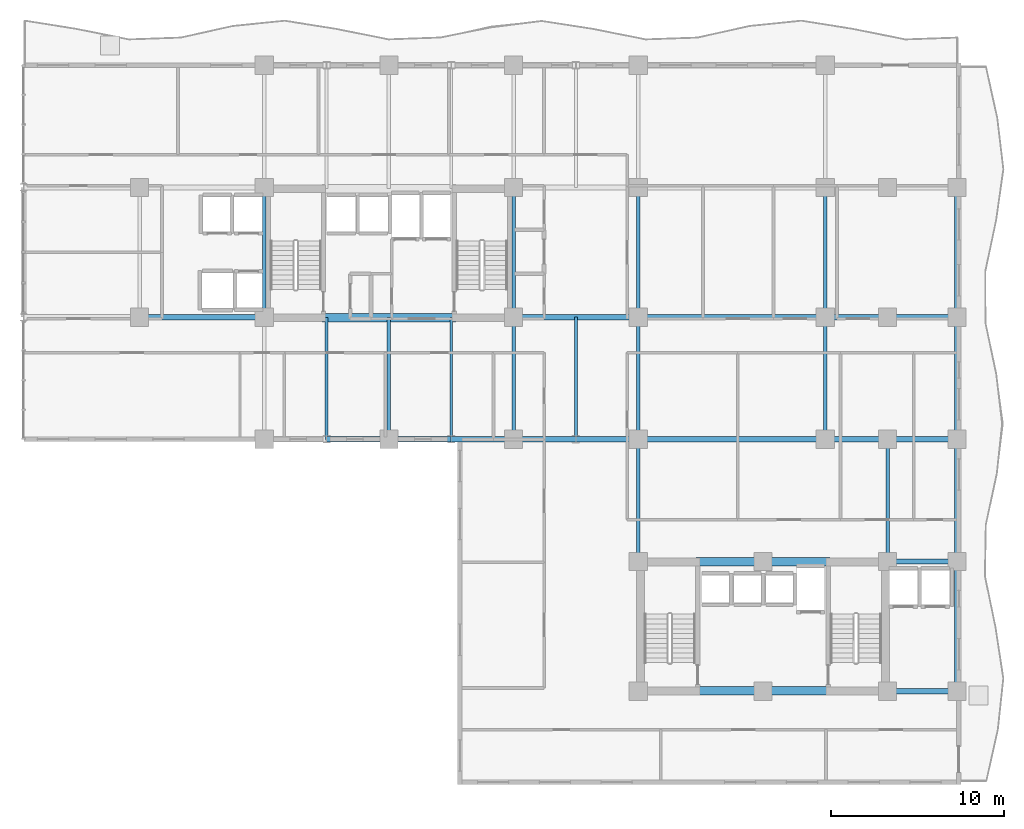
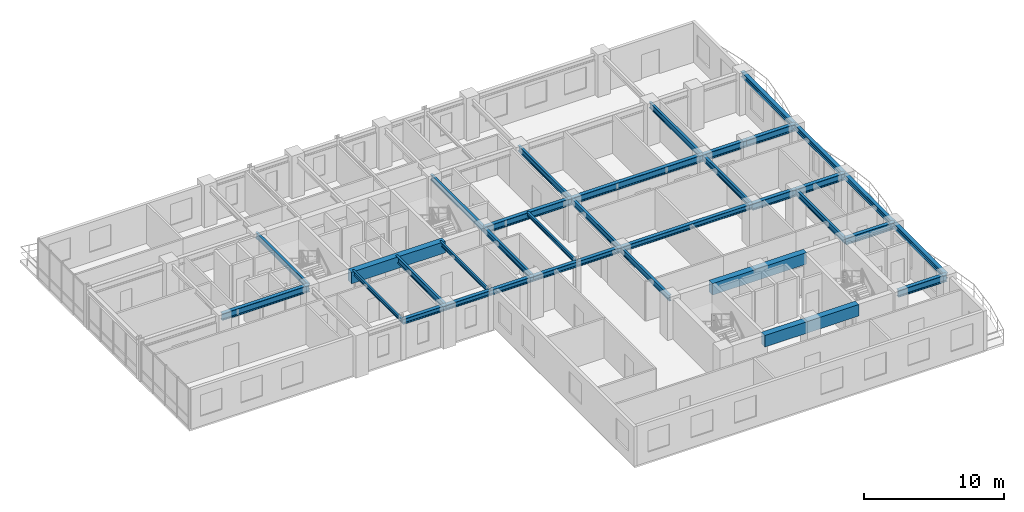
# One storey, part 6 of 19: 35 beams.
"""IFC4 building model written with IfcOpenShell, lengths in metres."""

from ifc_helpers import new_model, si_unit, direction, frame, origin, origin_2d, place, context, subcontext, project, spatial, rectangle, i_section, extrude, source, transform, mapped, material, material_profile, profile_set, type_object, element, save


model = new_model("IFC4")

# Units and contexts
model_context = context("Model", 3, precision=1e-05, world=origin(), true_north=direction((0.0, 1.0)))
body_context = subcontext(model_context, "Body", "Model", "MODEL_VIEW")
ifc_project = project(units=[si_unit("LENGTHUNIT", "METRE"), si_unit("AREAUNIT", "SQUARE_METRE"), si_unit("VOLUMEUNIT", "CUBIC_METRE"), si_unit("PLANEANGLEUNIT", "RADIAN"), si_unit("MASSUNIT", "GRAM", prefix="KILO")], contexts=[model_context])

# Site, building, storey
site_placement = place(None, origin())
site = spatial("IfcSite", under=ifc_project, at=site_placement, CompositionType="ELEMENT")
building_placement = place(site_placement, origin())
building = spatial("IfcBuilding", under=site, at=building_placement, Name="Kaliganga Portal Commons", CompositionType="ELEMENT")
storey_placement = place(building_placement, frame((0.0, 0.0, 140.199951171875)))
storey = spatial("IfcBuildingStorey", under=building, at=storey_placement, Name="L35", CompositionType="ELEMENT", Elevation=140.199951171875)

# Beams
ifc_material_1 = material(Name="Concrete C50/60", Category="concrete")
ifc_material_profile_1 = material_profile(ifc_material_1, rectangle(XDim=0.5, YDim=1.0, at=origin_2d()), Name="RC 500x1000")
ifc_profile_set_1 = profile_set([ifc_material_profile_1], Name="Concrete C50/60")
beam_type_1 = type_object("IfcBeamType", Name="BM-CPL-1000", PredefinedType="LINTEL", material=ifc_profile_set_1)
shared_shape_1 = source(origin(), body_context, "Body", "SweptSolid", [
    extrude(rectangle(XDim=0.5, YDim=1.0, at=origin_2d()), origin(), (0.0, 0.0, 1.0), 7.739990234375),
])
for number, where, z_axis, x_axis, name in (
    (1, (17.72998046875, 28.625, 2.9599609375), (1.0, 0.0, 0.0), (0.0, 1.0, 0.0), "BM CPL COREA L35 S"),
    (2, (39.330078125, 7.074951171875, 2.9599609375), (1.0, 0.0, 0.0), (0.0, 1.0, 0.0), "BM CPL COREB L35 S"),
    (3, (39.330078125, 14.52490234375, 2.9599609375), (1.0, 0.0, 0.0), (0.0, 1.0, 0.0), "BM CPL COREB L35 N"),
):
    element("IfcBeam", number, at=place(storey_placement, frame(where, z_axis=z_axis, x_axis=x_axis)), inside=storey, type_object=beam_type_1, Name=name, PredefinedType="LINTEL", context=body_context, shape_type="MappedRepresentation", body=[
        mapped(shared_shape_1, transform((0.0, 0.0, 0.0), x_axis=(1.0, 0.0, 0.0), y_axis=(0.0, 1.0, 0.0), z_axis=(0.0, 0.0, 1.0), scale=1.0)),
    ])
ifc_material_2 = material(Name="Structural steel S355J2", Category="steel")
ifc_material_profile_2 = material_profile(ifc_material_2, i_section(OverallWidth=0.199951171875, OverallDepth=0.5, WebThickness=0.01025390625, FlangeThickness=0.01611328125, FilletRadius=0.02099609375, at=origin_2d()), Name="IPE 500")
ifc_profile_set_2 = profile_set([ifc_material_profile_2], Name="Structural steel S355J2 wide-flange")
beam_type_2 = type_object("IfcBeamType", Name="BM-FLR-500", PredefinedType="BEAM", material=ifc_profile_set_2)
shared_shape_2 = source(origin(), body_context, "Body", "SweptSolid", [
    extrude(i_section(OverallWidth=0.199951171875, OverallDepth=0.5, WebThickness=0.01025390625, FlangeThickness=0.01611328125, FilletRadius=0.02099609375, at=origin_2d()), origin(), (0.0, 0.0, 1.0), 7.5),
])
for number, where, z_axis, x_axis, name in (
    (4, (14.39990234375, 28.64990234375, 3.2099609375), (0.0, 1.0, 0.0), (-1.0, 0.0, 0.0), "BM G L35 AM144"),
    (5, (28.800048828125, 28.64990234375, 3.2099609375), (0.0, 1.0, 0.0), (-1.0, 0.0, 0.0), "BM G L35 AM288"),
    (6, (36.0, 28.64990234375, 3.2099609375), (0.0, 1.0, 0.0), (-1.0, 0.0, 0.0), "BM G L35 AM360"),
    (7, (46.800048828125, 28.64990234375, 3.2099609375), (0.0, 1.0, 0.0), (-1.0, 0.0, 0.0), "BM G L35 AM468"),
):
    element("IfcBeam", number, at=place(storey_placement, frame(where, z_axis=z_axis, x_axis=x_axis)), inside=storey, type_object=beam_type_2, Name=name, PredefinedType="BEAM", context=body_context, shape_type="MappedRepresentation", body=[
        mapped(shared_shape_2, transform((0.0, 0.0, 0.0), x_axis=(1.0, 0.0, 0.0), y_axis=(0.0, 1.0, 0.0), z_axis=(0.0, 0.0, 1.0), scale=1.0)),
    ])
shared_shape_3 = source(origin(), body_context, "Body", "SweptSolid", [
    extrude(i_section(OverallWidth=0.199951171875, OverallDepth=0.5, WebThickness=0.01025390625, FlangeThickness=0.01611328125, FilletRadius=0.02099609375, at=origin_2d()), origin(), (0.0, 0.0, 1.0), 7.050048828125),
])
for number, where, z_axis, x_axis, name in (
    (8, (36.0, 14.550048828125, 3.2099609375), (0.0, 1.0, 0.0), (-1.0, 0.0, 0.0), "BM G L35 BNK360"),
    (9, (50.39990234375, 14.550048828125, 3.2099609375), (0.0, 1.0, 0.0), (-1.0, 0.0, 0.0), "BM G L35 BNK504"),
):
    element("IfcBeam", number, at=place(storey_placement, frame(where, z_axis=z_axis, x_axis=x_axis)), inside=storey, type_object=beam_type_2, Name=name, PredefinedType="BEAM", context=body_context, shape_type="MappedRepresentation", body=[
        mapped(shared_shape_3, transform((0.0, 0.0, 0.0), x_axis=(1.0, 0.0, 0.0), y_axis=(0.0, 1.0, 0.0), z_axis=(0.0, 0.0, 1.0), scale=1.0)),
    ])
shared_shape_4 = source(origin(), body_context, "Body", "SweptSolid", [
    extrude(i_section(OverallWidth=0.199951171875, OverallDepth=0.5, WebThickness=0.01025390625, FlangeThickness=0.01611328125, FilletRadius=0.02099609375, at=origin_2d()), origin(), (0.0, 0.0, 1.0), 7.0498046875),
])
for number, where, z_axis, x_axis, name in (
    (10, (28.800048828125, 21.60009765625, 3.2099609375), (0.0, 1.0, 0.0), (-1.0, 0.0, 0.0), "BM G L35 AS288"),
    (11, (36.0, 21.60009765625, 3.2099609375), (0.0, 1.0, 0.0), (-1.0, 0.0, 0.0), "BM G L35 AS360"),
    (12, (46.800048828125, 21.60009765625, 3.2099609375), (0.0, 1.0, 0.0), (-1.0, 0.0, 0.0), "BM G L35 AS468"),
):
    element("IfcBeam", number, at=place(storey_placement, frame(where, z_axis=z_axis, x_axis=x_axis)), inside=storey, type_object=beam_type_2, Name=name, PredefinedType="BEAM", context=body_context, shape_type="MappedRepresentation", body=[
        mapped(shared_shape_4, transform((0.0, 0.0, 0.0), x_axis=(1.0, 0.0, 0.0), y_axis=(0.0, 1.0, 0.0), z_axis=(0.0, 0.0, 1.0), scale=1.0)),
    ])
ifc_material_profile_3 = material_profile(ifc_material_2, i_section(OverallWidth=0.300048828125, OverallDepth=0.449951171875, WebThickness=0.013916015625, FlangeThickness=0.02587890625, FilletRadius=0.027099609375, at=origin_2d()), Name="HE 450 B")
ifc_profile_set_3 = profile_set([ifc_material_profile_3], Name="Structural steel S355J2 wide-flange")
beam_type_3 = type_object("IfcBeamType", Name="BM-SPAND-450", PredefinedType="SPANDREL", material=ifc_profile_set_3)
shared_shape_5 = source(origin(), body_context, "Body", "SweptSolid", [
    extrude(i_section(OverallWidth=0.300048828125, OverallDepth=0.449951171875, WebThickness=0.013916015625, FlangeThickness=0.02587890625, FilletRadius=0.027099609375, at=origin_2d()), origin(), (0.0, 0.0, 1.0), 3.60009765625),
])
for number, where, z_axis, x_axis, name in (
    (13, (18.0, 21.60009765625, 3.235107421875), (1.0, 0.0, 0.0), (0.0, 1.0, 0.0), "BM SP L35 AS 2"),
    (14, (25.199951171875, 21.60009765625, 3.235107421875), (1.0, 0.0, 0.0), (0.0, 1.0, 0.0), "BM SP L35 AS 4"),
    (15, (32.39990234375, 21.60009765625, 3.235107421875), (1.0, 0.0, 0.0), (0.0, 1.0, 0.0), "BM SP L35 AS 6"),
):
    element("IfcBeam", number, at=place(storey_placement, frame(where, z_axis=z_axis, x_axis=x_axis)), inside=storey, type_object=beam_type_3, Name=name, PredefinedType="SPANDREL", context=body_context, shape_type="MappedRepresentation", body=[
        mapped(shared_shape_5, transform((0.0, 0.0, 0.0), x_axis=(1.0, 0.0, 0.0), y_axis=(0.0, 1.0, 0.0), z_axis=(0.0, 0.0, 1.0), scale=1.0)),
    ])
shared_shape_6 = source(origin(), body_context, "Body", "SweptSolid", [
    extrude(i_section(OverallWidth=0.300048828125, OverallDepth=0.449951171875, WebThickness=0.013916015625, FlangeThickness=0.02587890625, FilletRadius=0.027099609375, at=origin_2d()), origin(), (0.0, 0.0, 1.0), 3.599853515625),
])
for number, where, z_axis, x_axis, name in (
    (16, (21.60009765625, 21.60009765625, 3.235107421875), (1.0, 0.0, 0.0), (0.0, 1.0, 0.0), "BM SP L35 AS 3"),
    (17, (28.800048828125, 21.60009765625, 3.235107421875), (1.0, 0.0, 0.0), (0.0, 1.0, 0.0), "BM SP L35 AS 5"),
):
    element("IfcBeam", number, at=place(storey_placement, frame(where, z_axis=z_axis, x_axis=x_axis)), inside=storey, type_object=beam_type_3, Name=name, PredefinedType="SPANDREL", context=body_context, shape_type="MappedRepresentation", body=[
        mapped(shared_shape_6, transform((0.0, 0.0, 0.0), x_axis=(1.0, 0.0, 0.0), y_axis=(0.0, 1.0, 0.0), z_axis=(0.0, 0.0, 1.0), scale=1.0)),
    ])
shared_shape_7 = source(origin(), body_context, "Body", "SweptSolid", [
    extrude(i_section(OverallWidth=0.300048828125, OverallDepth=0.449951171875, WebThickness=0.013916015625, FlangeThickness=0.02587890625, FilletRadius=0.027099609375, at=origin_2d()), origin(), (0.0, 0.0, 1.0), 10.800048828125),
])
beam_1_placement = place(storey_placement, frame((36.0, 21.60009765625, 3.235107421875), z_axis=(1.0, 0.0, 0.0), x_axis=(0.0, 1.0, 0.0)))
element("IfcBeam", 18, at=beam_1_placement, inside=storey, type_object=beam_type_3, Name="BM SP L35 AS 7", PredefinedType="SPANDREL", context=body_context, shape_type="MappedRepresentation", body=[
    mapped(shared_shape_7, transform((0.0, 0.0, 0.0), x_axis=(1.0, 0.0, 0.0), y_axis=(0.0, 1.0, 0.0), z_axis=(0.0, 0.0, 1.0), scale=1.0)),
])
ifc_material_profile_4 = material_profile(ifc_material_2, i_section(OverallWidth=0.159912109375, OverallDepth=0.330078125, WebThickness=0.007568359375, FlangeThickness=0.011474609375, FilletRadius=0.01806640625, at=origin_2d()), Name="IPE 330")
ifc_profile_set_4 = profile_set([ifc_material_profile_4], Name="Structural steel S355J2 wide-flange")
beam_type_4 = type_object("IfcBeamType", Name="BM-JST-330", PredefinedType="JOIST", material=ifc_profile_set_4)
shared_shape_8 = source(origin(), body_context, "Body", "SweptSolid", [
    extrude(i_section(OverallWidth=0.159912109375, OverallDepth=0.330078125, WebThickness=0.007568359375, FlangeThickness=0.011474609375, FilletRadius=0.01806640625, at=origin_2d()), origin(), (0.0, 0.0, 1.0), 7.0498046875),
])
beam_2_placement = place(storey_placement, frame((32.39990234375, 21.60009765625, 3.295166015625), z_axis=(0.0, 1.0, 0.0), x_axis=(-1.0, 0.0, 0.0)))
element("IfcBeam", 19, at=beam_2_placement, inside=storey, type_object=beam_type_4, Name="BM G L35 AS324", PredefinedType="JOIST", context=body_context, shape_type="MappedRepresentation", body=[
    mapped(shared_shape_8, transform((0.0, 0.0, 0.0), x_axis=(1.0, 0.0, 0.0), y_axis=(0.0, 1.0, 0.0), z_axis=(0.0, 0.0, 1.0), scale=1.0)),
])
shared_shape_9 = source(origin(), body_context, "Body", "SweptSolid", [
    extrude(i_section(OverallWidth=0.300048828125, OverallDepth=0.449951171875, WebThickness=0.013916015625, FlangeThickness=0.02587890625, FilletRadius=0.027099609375, at=origin_2d()), origin(), (0.0, 0.0, 1.0), 7.5),
])
for number, where, z_axis, x_axis, name in (
    (20, (54.39990234375, 7.050048828125, 3.235107421875), (0.0, 1.0, 0.0), (-1.0, 0.0, 0.0), "BM SP L35 BE 1"),
    (21, (54.39990234375, 28.64990234375, 3.235107421875), (0.0, 1.0, 0.0), (-1.0, 0.0, 0.0), "BM SP L35 BE 4"),
):
    element("IfcBeam", number, at=place(storey_placement, frame(where, z_axis=z_axis, x_axis=x_axis)), inside=storey, type_object=beam_type_3, Name=name, PredefinedType="SPANDREL", context=body_context, shape_type="MappedRepresentation", body=[
        mapped(shared_shape_9, transform((0.0, 0.0, 0.0), x_axis=(1.0, 0.0, 0.0), y_axis=(0.0, 1.0, 0.0), z_axis=(0.0, 0.0, 1.0), scale=1.0)),
    ])
shared_shape_10 = source(origin(), body_context, "Body", "SweptSolid", [
    extrude(i_section(OverallWidth=0.300048828125, OverallDepth=0.449951171875, WebThickness=0.013916015625, FlangeThickness=0.02587890625, FilletRadius=0.027099609375, at=origin_2d()), origin(), (0.0, 0.0, 1.0), 7.050048828125),
])
beam_3_placement = place(storey_placement, frame((54.39990234375, 14.550048828125, 3.235107421875), z_axis=(0.0, 1.0, 0.0), x_axis=(-1.0, 0.0, 0.0)))
element("IfcBeam", 22, at=beam_3_placement, inside=storey, type_object=beam_type_3, Name="BM SP L35 BE 2", PredefinedType="SPANDREL", context=body_context, shape_type="MappedRepresentation", body=[
    mapped(shared_shape_10, transform((0.0, 0.0, 0.0), x_axis=(1.0, 0.0, 0.0), y_axis=(0.0, 1.0, 0.0), z_axis=(0.0, 0.0, 1.0), scale=1.0)),
])
shared_shape_11 = source(origin(), body_context, "Body", "SweptSolid", [
    extrude(i_section(OverallWidth=0.300048828125, OverallDepth=0.449951171875, WebThickness=0.013916015625, FlangeThickness=0.02587890625, FilletRadius=0.027099609375, at=origin_2d()), origin(), (0.0, 0.0, 1.0), 7.0498046875),
])
beam_4_placement = place(storey_placement, frame((54.39990234375, 21.60009765625, 3.235107421875), z_axis=(0.0, 1.0, 0.0), x_axis=(-1.0, 0.0, 0.0)))
element("IfcBeam", 23, at=beam_4_placement, inside=storey, type_object=beam_type_3, Name="BM SP L35 BE 3", PredefinedType="SPANDREL", context=body_context, shape_type="MappedRepresentation", body=[
    mapped(shared_shape_11, transform((0.0, 0.0, 0.0), x_axis=(1.0, 0.0, 0.0), y_axis=(0.0, 1.0, 0.0), z_axis=(0.0, 0.0, 1.0), scale=1.0)),
])
ifc_material_profile_5 = material_profile(ifc_material_2, i_section(OverallWidth=0.300048828125, OverallDepth=0.60009765625, WebThickness=0.015380859375, FlangeThickness=0.030029296875, FilletRadius=0.027099609375, at=origin_2d()), Name="HE 600 B")
ifc_profile_set_5 = profile_set([ifc_material_profile_5], Name="Structural steel S355J2 wide-flange")
beam_type_5 = type_object("IfcBeamType", Name="BM-GIRD-600", PredefinedType="USERDEFINED", material=ifc_profile_set_5)
shared_shape_12 = source(origin(), body_context, "Body", "SweptSolid", [
    extrude(i_section(OverallWidth=0.300048828125, OverallDepth=0.60009765625, WebThickness=0.015380859375, FlangeThickness=0.030029296875, FilletRadius=0.027099609375, at=origin_2d()), origin(), (0.0, 0.0, 1.0), 7.199951171875),
])
for number, where, z_axis, x_axis, name in (
    (24, (7.199951171875, 28.64990234375, 3.16015625), (1.0, 0.0, 0.0), (0.0, 1.0, 0.0), "BM G L35 WAH_S 2"),
    (25, (28.800048828125, 28.64990234375, 3.16015625), (1.0, 0.0, 0.0), (0.0, 1.0, 0.0), "BM G L35 WAE_S 1"),
):
    element("IfcBeam", number, at=place(storey_placement, frame(where, z_axis=z_axis, x_axis=x_axis)), inside=storey, type_object=beam_type_5, Name=name, ObjectType="GIRDER", PredefinedType="USERDEFINED", context=body_context, shape_type="MappedRepresentation", body=[
        mapped(shared_shape_12, transform((0.0, 0.0, 0.0), x_axis=(1.0, 0.0, 0.0), y_axis=(0.0, 1.0, 0.0), z_axis=(0.0, 0.0, 1.0), scale=1.0)),
    ])
shared_shape_13 = source(origin(), body_context, "Body", "SweptSolid", [
    extrude(i_section(OverallWidth=0.300048828125, OverallDepth=0.60009765625, WebThickness=0.015380859375, FlangeThickness=0.030029296875, FilletRadius=0.027099609375, at=origin_2d()), origin(), (0.0, 0.0, 1.0), 10.800048828125),
])
beam_5_placement = place(storey_placement, frame((36.0, 28.64990234375, 3.16015625), z_axis=(1.0, 0.0, 0.0), x_axis=(0.0, 1.0, 0.0)))
element("IfcBeam", 26, at=beam_5_placement, inside=storey, type_object=beam_type_5, Name="BM G L35 WAE_S 2", ObjectType="GIRDER", PredefinedType="USERDEFINED", context=body_context, shape_type="MappedRepresentation", body=[
    mapped(shared_shape_13, transform((0.0, 0.0, 0.0), x_axis=(1.0, 0.0, 0.0), y_axis=(0.0, 1.0, 0.0), z_axis=(0.0, 0.0, 1.0), scale=1.0)),
])
shared_shape_14 = source(origin(), body_context, "Body", "SweptSolid", [
    extrude(i_section(OverallWidth=0.159912109375, OverallDepth=0.330078125, WebThickness=0.007568359375, FlangeThickness=0.011474609375, FilletRadius=0.01806640625, at=origin_2d()), origin(), (0.0, 0.0, 1.0), 7.02490234375),
])
for number, where, z_axis, x_axis, name in (
    (27, (18.0, 21.60009765625, 3.295166015625), (0.0, 1.0, 0.0), (-1.0, 0.0, 0.0), "BM G L35 AS180"),
    (28, (25.199951171875, 21.60009765625, 3.295166015625), (0.0, 1.0, 0.0), (-1.0, 0.0, 0.0), "BM G L35 AS252"),
):
    element("IfcBeam", number, at=place(storey_placement, frame(where, z_axis=z_axis, x_axis=x_axis)), inside=storey, type_object=beam_type_4, Name=name, PredefinedType="JOIST", context=body_context, shape_type="MappedRepresentation", body=[
        mapped(shared_shape_14, transform((0.0, 0.0, 0.0), x_axis=(1.0, 0.0, 0.0), y_axis=(0.0, 1.0, 0.0), z_axis=(0.0, 0.0, 1.0), scale=1.0)),
    ])
shared_shape_15 = source(origin(), body_context, "Body", "SweptSolid", [
    extrude(i_section(OverallWidth=0.199951171875, OverallDepth=0.5, WebThickness=0.01025390625, FlangeThickness=0.01611328125, FilletRadius=0.02099609375, at=origin_2d()), origin(), (0.0, 0.0, 1.0), 7.02490234375),
])
beam_6_placement = place(storey_placement, frame((21.60009765625, 21.60009765625, 3.2099609375), z_axis=(0.0, 1.0, 0.0), x_axis=(-1.0, 0.0, 0.0)))
element("IfcBeam", 29, at=beam_6_placement, inside=storey, type_object=beam_type_2, Name="BM G L35 AS216", PredefinedType="BEAM", context=body_context, shape_type="MappedRepresentation", body=[
    mapped(shared_shape_15, transform((0.0, 0.0, 0.0), x_axis=(1.0, 0.0, 0.0), y_axis=(0.0, 1.0, 0.0), z_axis=(0.0, 0.0, 1.0), scale=1.0)),
])
shared_shape_16 = source(origin(), body_context, "Body", "SweptSolid", [
    extrude(i_section(OverallWidth=0.300048828125, OverallDepth=0.60009765625, WebThickness=0.015380859375, FlangeThickness=0.030029296875, FilletRadius=0.027099609375, at=origin_2d()), origin(), (0.0, 0.0, 1.0), 4.0),
])
for number, where, z_axis, x_axis, name in (
    (30, (50.39990234375, 7.050048828125, 3.16015625), (1.0, 0.0, 0.0), (0.0, 1.0, 0.0), "BM G L35 BKE70 1"),
    (31, (50.39990234375, 14.550048828125, 3.16015625), (1.0, 0.0, 0.0), (0.0, 1.0, 0.0), "BM G L35 BKE146 1"),
    (32, (50.39990234375, 21.60009765625, 3.16015625), (1.0, 0.0, 0.0), (0.0, 1.0, 0.0), "BM G L35 BKE216 2"),
    (33, (50.39990234375, 28.64990234375, 3.16015625), (1.0, 0.0, 0.0), (0.0, 1.0, 0.0), "BM G L35 BKE286 2"),
):
    element("IfcBeam", number, at=place(storey_placement, frame(where, z_axis=z_axis, x_axis=x_axis)), inside=storey, type_object=beam_type_5, Name=name, ObjectType="GIRDER", PredefinedType="USERDEFINED", context=body_context, shape_type="MappedRepresentation", body=[
        mapped(shared_shape_16, transform((0.0, 0.0, 0.0), x_axis=(1.0, 0.0, 0.0), y_axis=(0.0, 1.0, 0.0), z_axis=(0.0, 0.0, 1.0), scale=1.0)),
    ])
shared_shape_17 = source(origin(), body_context, "Body", "SweptSolid", [
    extrude(i_section(OverallWidth=0.300048828125, OverallDepth=0.60009765625, WebThickness=0.015380859375, FlangeThickness=0.030029296875, FilletRadius=0.027099609375, at=origin_2d()), origin(), (0.0, 0.0, 1.0), 3.599853515625),
])
for number, where, z_axis, x_axis, name in (
    (34, (46.800048828125, 21.60009765625, 3.16015625), (1.0, 0.0, 0.0), (0.0, 1.0, 0.0), "BM G L35 BKE216 1"),
    (35, (46.800048828125, 28.64990234375, 3.16015625), (1.0, 0.0, 0.0), (0.0, 1.0, 0.0), "BM G L35 BKE286 1"),
):
    element("IfcBeam", number, at=place(storey_placement, frame(where, z_axis=z_axis, x_axis=x_axis)), inside=storey, type_object=beam_type_5, Name=name, ObjectType="GIRDER", PredefinedType="USERDEFINED", context=body_context, shape_type="MappedRepresentation", body=[
        mapped(shared_shape_17, transform((0.0, 0.0, 0.0), x_axis=(1.0, 0.0, 0.0), y_axis=(0.0, 1.0, 0.0), z_axis=(0.0, 0.0, 1.0), scale=1.0)),
    ])

save(model, "model.ifc")
